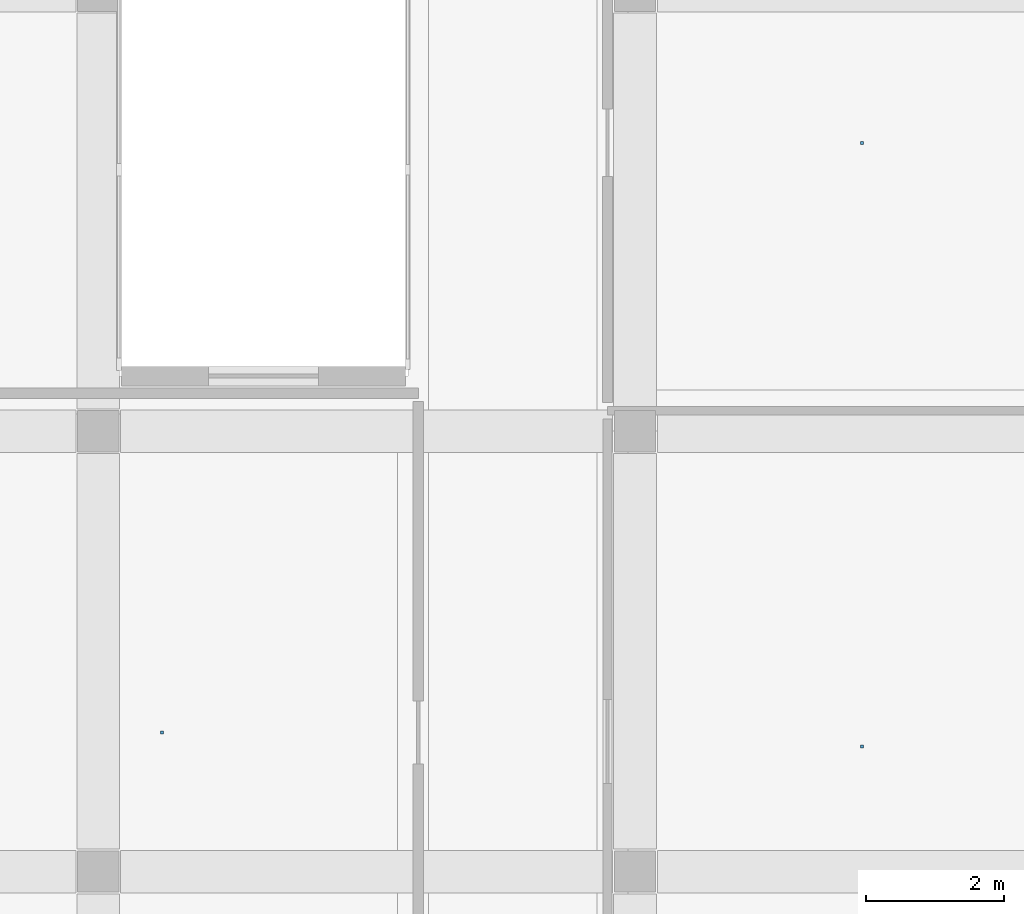
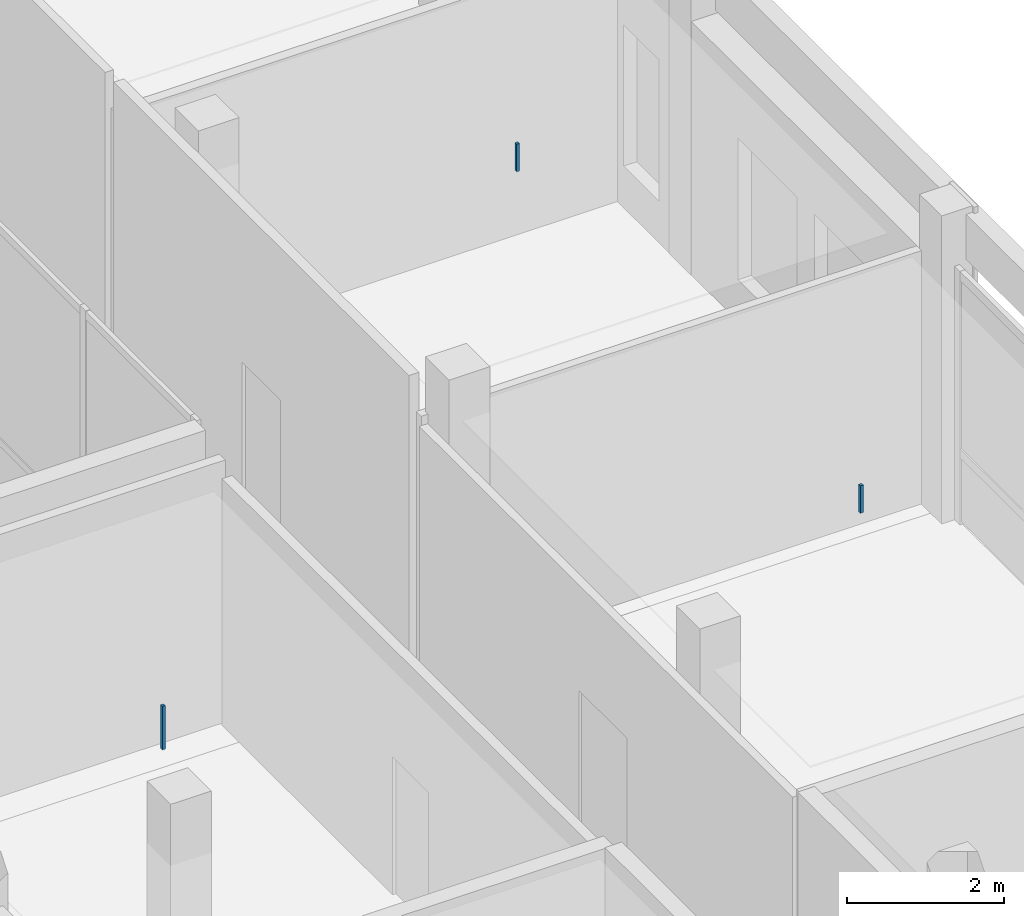
# One storey, part 65 of 88: 3 discrete accessories.
"""IFC4 building model written with IfcOpenShell, lengths in metres."""

from ifc_helpers import new_model, si_unit, derived_unit, direction, frame, origin, origin_2d, place, context, subcontext, project, spatial, rectangle, extrude, material, type_object, element, save


model = new_model("IFC4")

# Units and contexts
model_context = context("Model", 3, precision=1e-05, world=origin(), true_north=direction((0.0, 1.0)))
body_context = subcontext(model_context, "Body", "Model", "MODEL_VIEW")
ifc_project = project(units=[si_unit("LENGTHUNIT", "METRE"), si_unit("AREAUNIT", "SQUARE_METRE"), si_unit("VOLUMEUNIT", "CUBIC_METRE"), si_unit("PLANEANGLEUNIT", "RADIAN"), si_unit("MASSUNIT", "GRAM", prefix="KILO"), derived_unit("THERMALTRANSMITTANCEUNIT", [(si_unit("POWERUNIT", "WATT"), 1), (si_unit("LENGTHUNIT", "METRE"), -2), (si_unit("THERMODYNAMICTEMPERATUREUNIT", "KELVIN"), -1)])], contexts=[model_context])

# Site, building, storey
site_placement = place(None, origin())
site = spatial("IfcSite", under=ifc_project, at=site_placement, CompositionType="ELEMENT")
building_placement = place(site_placement, origin())
building = spatial("IfcBuilding", under=site, at=building_placement, Name="Braskholm Square Health Centre", CompositionType="ELEMENT")
storey_placement = place(building_placement, origin())
storey = spatial("IfcBuildingStorey", under=building, at=storey_placement, Name="L01", CompositionType="ELEMENT", Elevation=0.0)

# Discrete accessories
ifc_material = material(Name="Steel ASTM A500 Grade C", Category="steel")
discrete_accessory_type = type_object("IfcDiscreteAccessoryType", Name="CeilingSuspensionBracket", PredefinedType="BRACKET", material=ifc_material)
for number, where, z_axis, x_axis, name in (
    (1, (159.89697265625, 25.215087890625, 4.08203125), (0.0, 0.0, 1.0), (1.0, 0.0, 0.0), "Ceiling hanger bracket 0115"),
    (2, (159.89697265625, 33.989990234375, 4.08203125), (0.0, 0.0, 1.0), (1.0, 0.0, 0.0), "Ceiling hanger bracket 0116"),
):
    element("IfcDiscreteAccessory", number, at=place(storey_placement, frame(where, z_axis=z_axis, x_axis=x_axis)), inside=storey, type_object=discrete_accessory_type, Name=name, PredefinedType="BRACKET", context=body_context, shape_type="SweptSolid", body=[
        extrude(rectangle(XDim=0.044921875, YDim=0.044921875, at=origin_2d()), origin(), (0.0, 0.0, 1.0), 0.429931640625),
    ])
discrete_accessory_placement = place(storey_placement, frame((149.72705078125, 25.419921875, 3.83203125), z_axis=(0.0, 0.0, 1.0), x_axis=(1.0, 0.0, 0.0)))
element("IfcDiscreteAccessory", 3, at=discrete_accessory_placement, inside=storey, type_object=discrete_accessory_type, Name="Ceiling hanger bracket 0126", PredefinedType="BRACKET", context=body_context, shape_type="SweptSolid", body=[
    extrude(rectangle(XDim=0.044921875, YDim=0.044921875, at=origin_2d()), origin(), (0.0, 0.0, 1.0), 0.679931640625),
])

save(model, "model.ifc")
